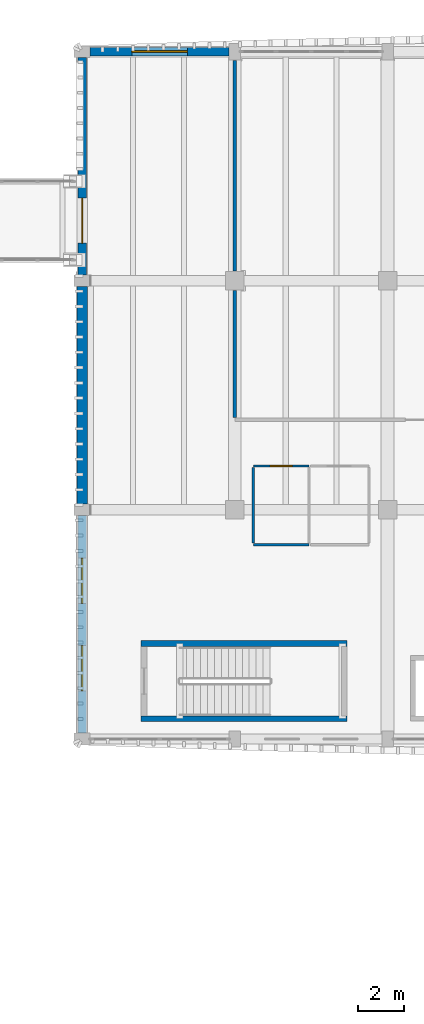
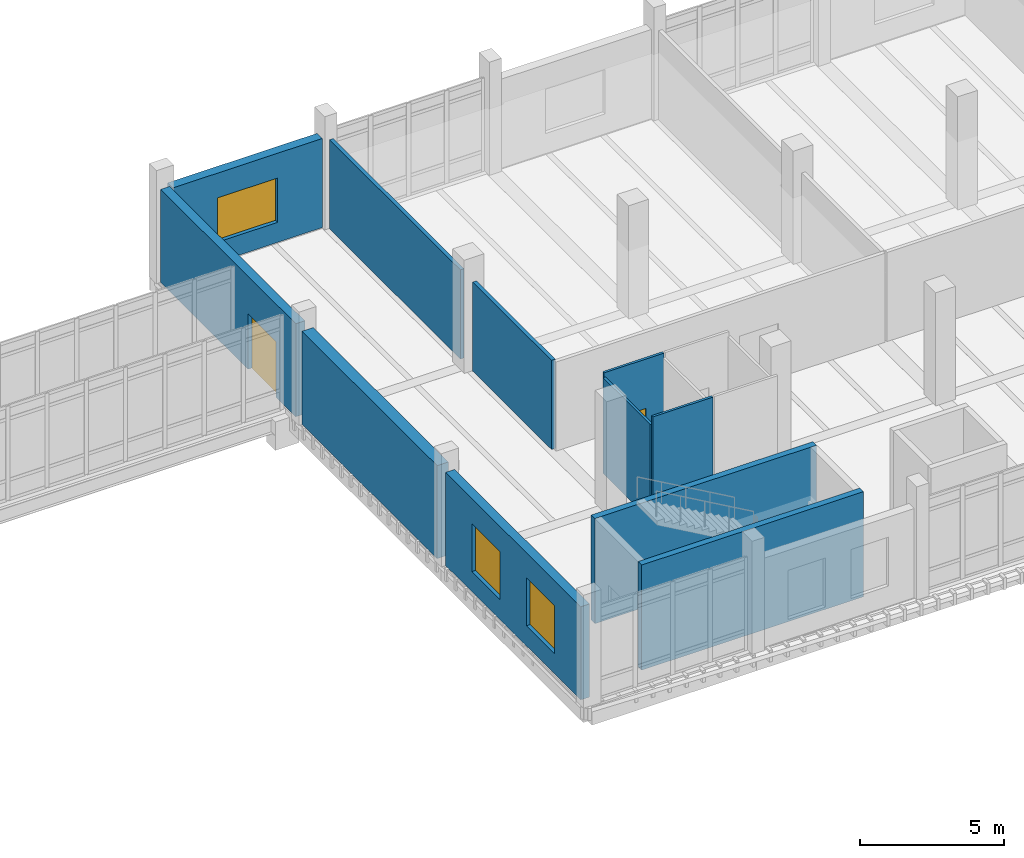
# One storey, part 94 of 125: 11 walls, 3 windows, 2 doors, 5 openings.
"""IFC4 building model written with IfcOpenShell, lengths in metres."""

from ifc_helpers import new_model, si_unit, direction, frame, frame_2d, origin, place, context, subcontext, project, spatial, rectangle, extrude, material, layer, layer_set, type_object, element, fill, save


model = new_model("IFC4")

# Units and contexts
model_context = context("Model", 3, precision=1e-05, world=origin(), true_north=direction((0.0, 1.0)))
body_context = subcontext(model_context, "Body", "Model", "MODEL_VIEW")
ifc_project = project(units=[si_unit("LENGTHUNIT", "METRE"), si_unit("AREAUNIT", "SQUARE_METRE"), si_unit("VOLUMEUNIT", "CUBIC_METRE"), si_unit("PLANEANGLEUNIT", "RADIAN"), si_unit("MASSUNIT", "GRAM", prefix="KILO")], contexts=[model_context])

# Site, building, storey
site_placement = place(None, origin())
site = spatial("IfcSite", under=ifc_project, at=site_placement, CompositionType="ELEMENT")
building_placement = place(site_placement, origin())
building = spatial("IfcBuilding", under=site, at=building_placement, Name="Dornvale Research Institute", CompositionType="ELEMENT")
storey_placement = place(building_placement, frame((0.0, 0.0, 5.39990234375)))
storey = spatial("IfcBuildingStorey", under=building, at=storey_placement, Name="L01", CompositionType="ELEMENT", Elevation=5.39990234375)

# Walls
ifc_material_1 = material(Name="Acoustic Insulated Double-Stud Laboratory Partition")
ifc_layer_1 = layer(ifc_material_1, 0.14990234375)
ifc_layer_set_1 = layer_set([ifc_layer_1], Name="Acoustic Insulated Double-Stud Laboratory Partition")
wall_type_1 = type_object("IfcWallType", Name="Partition_Lab_150", PredefinedType="PARTITIONING", material=ifc_layer_set_1)
wall_1_placement = place(storey_placement, frame((125.39990234375, 106.2900390625, 0.0), z_axis=(0.0, 0.0, 1.0), x_axis=(0.0, 1.0, 0.0)))
element("IfcWall", 1, at=wall_1_placement, inside=storey, type_object=wall_type_1, Name="L01 V4 interior partition #188", PredefinedType="PARTITIONING", context=body_context, shape_type="SweptSolid", body=[
    extrude(rectangle(XDim=5.489990234375, YDim=0.14990234375, at=frame_2d((2.7451171875, 0.0))), origin(), (0.0, 0.0, 1.0), 3.780029296875),
])
wall_2_placement = place(storey_placement, frame((125.39990234375, 112.6201171875, 0.0), z_axis=(0.0, 0.0, 1.0), x_axis=(0.0, 1.0, 0.0)))
element("IfcWall", 2, at=wall_2_placement, inside=storey, type_object=wall_type_1, Name="L01 V4 interior partition #189", PredefinedType="PARTITIONING", context=body_context, shape_type="SweptSolid", body=[
    extrude(rectangle(XDim=9.10986328125, YDim=0.14990234375, at=frame_2d((4.554931640625, 0.0))), origin(), (0.0, 0.0, 1.0), 3.780029296875),
])
ifc_material_2 = material(Name="Acoustic Insulated Double-Stud Laboratory Partition")
ifc_layer_2 = layer(ifc_material_2, 0.10009765625)
ifc_layer_set_2 = layer_set([ifc_layer_2], Name="Acoustic Insulated Double-Stud Laboratory Partition")
wall_type_2 = type_object("IfcWallType", Name="Partition_Office_100", PredefinedType="PARTITIONING", material=ifc_layer_set_2)
wall_3_placement = place(storey_placement, frame((126.199951171875, 100.800048828125, 0.0), z_axis=(0.0, 0.0, 1.0), x_axis=(1.0, 0.0, 0.0)))
element("IfcWall", 3, at=wall_3_placement, inside=storey, type_object=wall_type_2, Name="L01 V4 interior partition #180", PredefinedType="PARTITIONING", context=body_context, shape_type="SweptSolid", body=[
    extrude(rectangle(XDim=2.400146484375, YDim=0.10009765625, at=frame_2d((1.2001953125, 0.0))), origin(), (0.0, 0.0, 1.0), 4.440185546875),
])

# Wall, opening, door
wall_4_placement = place(storey_placement, frame((126.199951171875, 104.199951171875, 0.0), z_axis=(0.0, 0.0, 1.0), x_axis=(1.0, 0.0, 0.0)))
wall_4 = element("IfcWall", 4, at=wall_4_placement, inside=storey, type_object=wall_type_2, Name="L01 V4 interior partition #181", PredefinedType="PARTITIONING", context=body_context, shape_type="SweptSolid", body=[
    extrude(rectangle(XDim=2.400146484375, YDim=0.10009765625, at=frame_2d((1.2001953125, 0.0))), origin(), (0.0, 0.0, 1.0), 4.2451171875),
])
opening_1_placement = place(wall_4_placement, frame((0.72509765625, 0.0, 0.0)))
opening_1 = element("IfcOpeningElement", 5, at=opening_1_placement, cuts=wall_4, Name="Opening ID-23", PredefinedType="OPENING", context=body_context, shape_type="SweptSolid", body=[
    extrude(rectangle(XDim=0.949951171875, YDim=2.14990234375, at=frame_2d((0.47509765625, 1.074951171875))), frame((0.0, 0.06494140625, 0.0), z_axis=(0.0, -1.0, 0.0), x_axis=(1.0, 0.0, 0.0)), (0.0, 0.0, 1.0), 0.130126953125),
])
ifc_material_3 = material(Name="Phenolic-Faced Solid-Core Laboratory Door Assembly")
door_type_1 = type_object("IfcDoorType", Name="Door_WC_950x2150", OperationType="SINGLE_SWING_LEFT", PredefinedType="DOOR", material=ifc_material_3)
door_1_placement = place(opening_1_placement, origin())
door_1 = element("IfcDoor", 6, at=door_1_placement, inside=storey, type_object=door_type_1, Name="L01 Wet Wing Male Restroom L01 door #75", OperationType="SINGLE_SWING_RIGHT", OverallHeight=2.14990234375, OverallWidth=0.949951171875, PredefinedType="DOOR", context=body_context, shape_type="SweptSolid", body=[
    extrude(rectangle(XDim=0.949951171875, YDim=2.14990234375, at=frame_2d((0.47509765625, 1.074951171875))), frame((0.0, 0.02490234375, 0.0), z_axis=(0.0, -1.0, 0.0), x_axis=(1.0, 0.0, 0.0)), (0.0, 0.0, 1.0), 0.050048828125),
])
fill(opening_1, door_1)

# Walls
wall_5_placement = place(storey_placement, frame((126.199951171875, 100.864990234375, 0.0), z_axis=(0.0, 0.0, 1.0), x_axis=(0.0, 1.0, 0.0)))
element("IfcWall", 7, at=wall_5_placement, inside=storey, type_object=wall_type_2, Name="L01 V4 interior partition #182", PredefinedType="PARTITIONING", context=body_context, shape_type="SweptSolid", body=[
    extrude(rectangle(XDim=3.27001953125, YDim=0.10009765625, at=frame_2d((1.635009765625, 0.0))), origin(), (0.0, 0.0, 1.0), 4.065185546875),
])
ifc_material_4 = material(Name="Concrete f'c 45 MPa (C35/45)", Category="concrete")
ifc_layer_3 = layer(ifc_material_4, 0.25)
ifc_layer_set_3 = layer_set([ifc_layer_3], Name="Concrete f'c 45 MPa (C35/45)")
wall_type_3 = type_object("IfcWallType", Name="ShearWall_Core_250", PredefinedType="SHEAR", material=ifc_layer_set_3)
for number, where, z_axis, x_axis, name in (
    (8, (121.35009765625, 93.27490234375, 0.0), (0.0, 0.0, 1.0), (1.0, 0.0, 0.0), "L01 ST-3 shaft shear wall south"),
    (9, (121.35009765625, 96.52490234375, 0.0), (0.0, 0.0, 1.0), (1.0, 0.0, 0.0), "L01 ST-3 shaft shear wall north"),
):
    element("IfcWall", number, at=place(storey_placement, frame(where, z_axis=z_axis, x_axis=x_axis)), inside=storey, type_object=wall_type_3, Name=name, PredefinedType="SHEAR", context=body_context, shape_type="SweptSolid", body=[
        extrude(rectangle(XDim=8.89990234375, YDim=0.25, at=frame_2d((4.449951171875, 0.0))), origin(), (0.0, 0.0, 1.0), 4.460205078125),
    ])
ifc_material_5 = material(Name="Precast Concrete f'c 40 MPa (C32/40) and Glazed Terracotta Backup Wall", Category="masonry")
ifc_layer_4 = layer(ifc_material_5, 0.449951171875)
ifc_layer_set_4 = layer_set([ifc_layer_4], Name="Precast Concrete f'c 40 MPa (C32/40) and Glazed Terracotta Backup Wall")
wall_type_4 = type_object("IfcWallType", Name="SolidWall_ShearBraceBay_450", PredefinedType="SOLIDWALL", material=ifc_layer_set_4)
wall_6_placement = place(storey_placement, frame((118.800048828125, 102.550048828125, 0.0), z_axis=(0.0, 0.0, 1.0), x_axis=(0.0, 1.0, 0.0)))
element("IfcWall", 10, at=wall_6_placement, inside=storey, type_object=wall_type_4, Name="L01 V4 west exterior wall #202", PredefinedType="SOLIDWALL", context=body_context, shape_type="SweptSolid", body=[
    extrude(rectangle(XDim=9.39990234375, YDim=0.449951171875, at=frame_2d((4.699951171875, 0.0))), origin(), (0.0, 0.0, 1.0), 3.9501953125),
])

# Wall, openings, windows
ifc_material_6 = material(Name="Catalan Pressed Brick and Insulated Cavity Assembly", Category="masonry")
ifc_layer_5 = layer(ifc_material_6, 0.360107421875)
ifc_layer_set_5 = layer_set([ifc_layer_5], Name="Catalan Pressed Brick and Insulated Cavity Assembly")
wall_type_5 = type_object("IfcWallType", Name="StandardWall_BrickCavity_360", PredefinedType="STANDARD", material=ifc_layer_set_5)
wall_7_placement = place(storey_placement, frame((118.800048828125, 92.64990234375, 0.0), z_axis=(0.0, 0.0, 1.0), x_axis=(0.0, 1.0, 0.0)))
wall_7 = element("IfcWall", 11, at=wall_7_placement, inside=storey, type_object=wall_type_5, Name="L01 V4 west exterior wall #201", PredefinedType="STANDARD", context=body_context, shape_type="SweptSolid", body=[
    extrude(rectangle(XDim=9.400146484375, YDim=0.360107421875, at=frame_2d((4.7001953125, 0.0))), origin(), (0.0, 0.0, 1.0), 3.9501953125),
])
opening_2_placement = place(wall_7_placement, frame((1.833251953125, 0.0, 0.85009765625)))
opening_2 = element("IfcOpeningElement", 12, at=opening_2_placement, cuts=wall_7, Name="Opening W-30", PredefinedType="OPENING", context=body_context, shape_type="SweptSolid", body=[
    extrude(rectangle(XDim=1.949951171875, YDim=2.0400390625, at=frame_2d((0.97509765625, 1.02001953125))), frame((0.0, 0.195068359375, 0.0), z_axis=(0.0, -1.0, 0.0), x_axis=(1.0, 0.0, 0.0)), (0.0, 0.0, 1.0), 0.39013671875),
])
opening_3_placement = place(wall_7_placement, frame((5.61669921875, 0.0, 0.85009765625)))
opening_3 = element("IfcOpeningElement", 13, at=opening_3_placement, cuts=wall_7, Name="Opening W-30", PredefinedType="OPENING", context=body_context, shape_type="SweptSolid", body=[
    extrude(rectangle(XDim=1.949951171875, YDim=2.0400390625, at=frame_2d((0.97509765625, 1.02001953125))), frame((0.0, 0.195068359375, 0.0), z_axis=(0.0, -1.0, 0.0), x_axis=(1.0, 0.0, 0.0)), (0.0, 0.0, 1.0), 0.39013671875),
])
ifc_material_7 = material(Name="Low-E Argon Double Insulating Glazing Unit", Category="glass")
window_type_1 = type_object("IfcWindowType", Name="Window_Alu_1950x2040_30", PartitioningType="DOUBLE_PANEL_VERTICAL", PredefinedType="WINDOW", material=ifc_material_7)
window_1_placement = place(opening_2_placement, origin())
window_1 = element("IfcWindow", 14, at=window_1_placement, inside=storey, type_object=window_type_1, Name="L01 V4 facade window W-30 #269", OverallHeight=2.0400390625, OverallWidth=1.949951171875, PartitioningType="DOUBLE_PANEL_VERTICAL", PredefinedType="WINDOW", context=body_context, shape_type="SweptSolid", body=[
    extrude(rectangle(XDim=1.949951171875, YDim=2.0400390625, at=frame_2d((0.97509765625, 1.02001953125))), frame((0.0, 0.030029296875, 0.0), z_axis=(0.0, -1.0, 0.0), x_axis=(1.0, 0.0, 0.0)), (0.0, 0.0, 1.0), 0.06005859375),
])
fill(opening_2, window_1)
window_2_placement = place(opening_3_placement, origin())
window_2 = element("IfcWindow", 15, at=window_2_placement, inside=storey, type_object=window_type_1, Name="L01 V4 facade window W-30 #270", OverallHeight=2.0400390625, OverallWidth=1.949951171875, PartitioningType="DOUBLE_PANEL_VERTICAL", PredefinedType="WINDOW", context=body_context, shape_type="SweptSolid", body=[
    extrude(rectangle(XDim=1.949951171875, YDim=2.0400390625, at=frame_2d((0.97509765625, 1.02001953125))), frame((0.0, 0.030029296875, 0.0), z_axis=(0.0, -1.0, 0.0), x_axis=(1.0, 0.0, 0.0)), (0.0, 0.0, 1.0), 0.06005859375),
])
fill(opening_3, window_2)

# Wall, opening, door
wall_8_placement = place(storey_placement, frame((118.800048828125, 112.449951171875, 0.0), z_axis=(0.0, 0.0, 1.0), x_axis=(0.0, 1.0, 0.0)))
wall_8 = element("IfcWall", 16, at=wall_8_placement, inside=storey, type_object=wall_type_5, Name="L01 V4 west exterior wall #203", PredefinedType="STANDARD", context=body_context, shape_type="SweptSolid", body=[
    extrude(rectangle(XDim=9.400146484375, YDim=0.360107421875, at=frame_2d((4.7001953125, 0.0))), origin(), (0.0, 0.0, 1.0), 3.9501953125),
])
opening_4_placement = place(wall_8_placement, frame((1.375, 0.0, 0.0)))
opening_4 = element("IfcOpeningElement", 17, at=opening_4_placement, cuts=wall_8, Name="Opening BD-01", PredefinedType="OPENING", context=body_context, shape_type="SweptSolid", body=[
    extrude(rectangle(XDim=1.949951171875, YDim=2.35009765625, at=frame_2d((0.97509765625, 1.175048828125))), frame((0.0, 0.195068359375, 0.0), z_axis=(0.0, -1.0, 0.0), x_axis=(1.0, 0.0, 0.0)), (0.0, 0.0, 1.0), 0.39013671875),
])
ifc_material_8 = material(Name="Galvanized Hollow Metal Insulated Door Assembly")
door_type_2 = type_object("IfcDoorType", Name="Door_BridgeJoint_1950x2350", OperationType="SINGLE_SWING_LEFT", PredefinedType="DOOR", material=ifc_material_8)
door_2_placement = place(opening_4_placement, origin())
door_2 = element("IfcDoor", 18, at=door_2_placement, inside=storey, type_object=door_type_2, Name="L01 V4 skybridge door BD-01 #25", OperationType="DOUBLE_DOOR_SINGLE_SWING", OverallHeight=2.35009765625, OverallWidth=1.949951171875, PredefinedType="DOOR", context=body_context, shape_type="SweptSolid", body=[
    extrude(rectangle(XDim=1.949951171875, YDim=2.35009765625, at=frame_2d((0.97509765625, 1.175048828125))), frame((0.0, 0.02490234375, 0.0), z_axis=(0.0, -1.0, 0.0), x_axis=(1.0, 0.0, 0.0)), (0.0, 0.0, 1.0), 0.050048828125),
])
fill(opening_4, door_2)

# Wall, opening, window
wall_9_placement = place(storey_placement, frame((119.14990234375, 122.10009765625, 0.0), z_axis=(0.0, 0.0, 1.0), x_axis=(1.0, 0.0, 0.0)))
wall_9 = element("IfcWall", 19, at=wall_9_placement, inside=storey, type_object=wall_type_5, Name="L01 V4 north exterior wall #204", PredefinedType="STANDARD", context=body_context, shape_type="SweptSolid", body=[
    extrude(rectangle(XDim=6.0, YDim=0.360107421875, at=frame_2d((3.0, 0.0))), origin(), (0.0, 0.0, 1.0), 3.780029296875),
])
opening_5_placement = place(wall_9_placement, frame((1.800048828125, 0.0, 0.85009765625)))
opening_5 = element("IfcOpeningElement", 20, at=opening_5_placement, cuts=wall_9, Name="Opening W-33", PredefinedType="OPENING", context=body_context, shape_type="SweptSolid", body=[
    extrude(rectangle(XDim=2.39990234375, YDim=1.8798828125, at=frame_2d((1.199951171875, 0.93994140625))), frame((0.0, 0.195068359375, 0.0), z_axis=(0.0, -1.0, 0.0), x_axis=(1.0, 0.0, 0.0)), (0.0, 0.0, 1.0), 0.39013671875),
])
ifc_material_9 = material(Name="Low-E Argon Double Insulating Glazing Unit", Category="glass")
window_type_2 = type_object("IfcWindowType", Name="Window_Alu_2400x1880_33", PartitioningType="DOUBLE_PANEL_VERTICAL", PredefinedType="WINDOW", material=ifc_material_9)
window_3_placement = place(opening_5_placement, origin())
window_3 = element("IfcWindow", 21, at=window_3_placement, inside=storey, type_object=window_type_2, Name="L01 V4 facade window W-33 #271", OverallHeight=1.8798828125, OverallWidth=2.39990234375, PartitioningType="DOUBLE_PANEL_VERTICAL", PredefinedType="WINDOW", context=body_context, shape_type="SweptSolid", body=[
    extrude(rectangle(XDim=2.39990234375, YDim=1.8798828125, at=frame_2d((1.199951171875, 0.93994140625))), frame((0.0, 0.030029296875, 0.0), z_axis=(0.0, -1.0, 0.0), x_axis=(1.0, 0.0, 0.0)), (0.0, 0.0, 1.0), 0.06005859375),
])
fill(opening_5, window_3)

save(model, "model.ifc")
